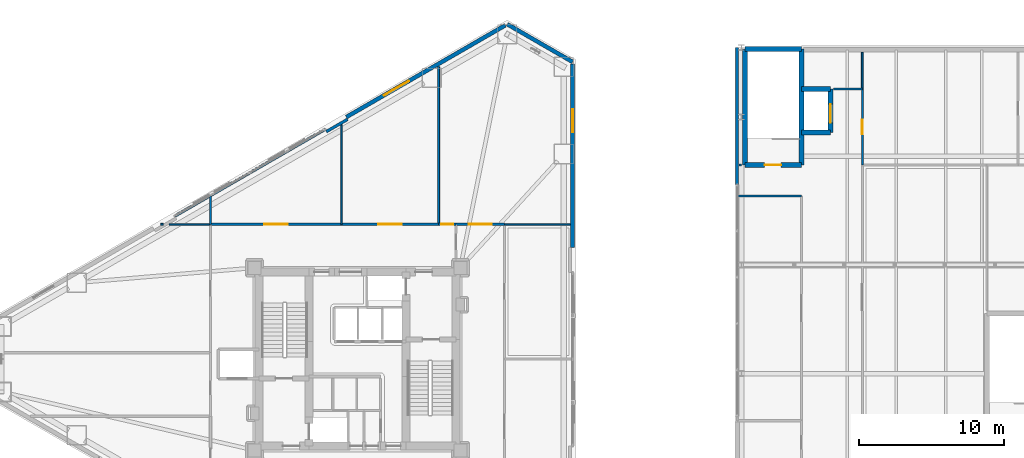
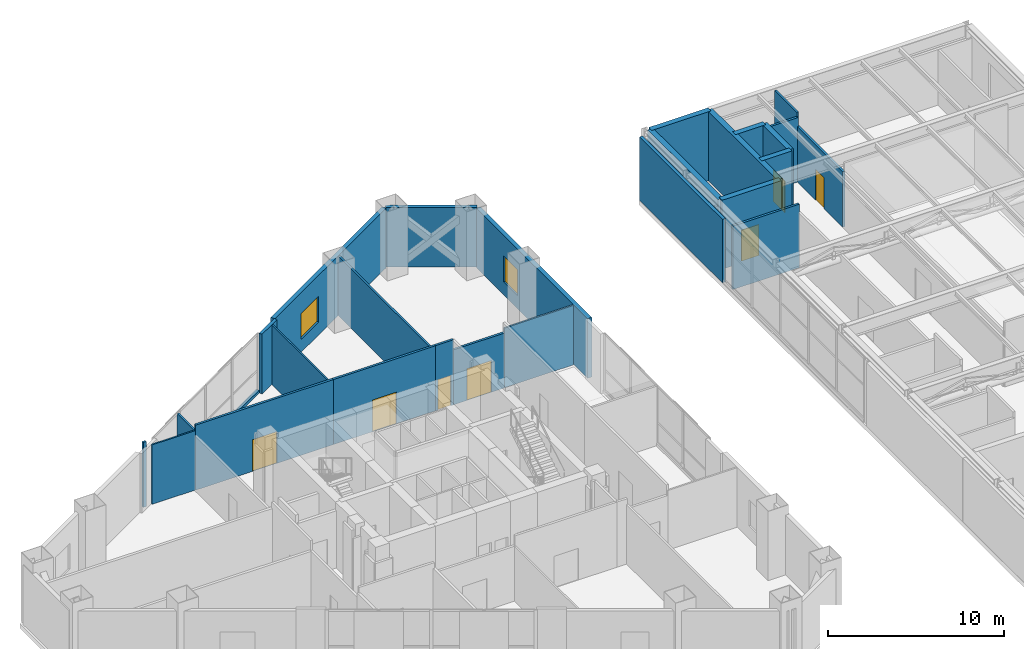
# One storey, part 24 of 27: 28 walls, 7 doors, 2 windows, 9 openings.
"""IFC4 building model written with IfcOpenShell, lengths in metres."""

from ifc_helpers import new_model, si_unit, direction, frame, frame_2d, origin, place, context, subcontext, project, spatial, rectangle, extrude, material, layer, layer_set, type_object, element, fill, save


model = new_model("IFC4")

# Units and contexts
model_context = context("Model", 3, precision=1e-05, world=origin(), true_north=direction((0.0, 1.0)))
body_context = subcontext(model_context, "Body", "Model", "MODEL_VIEW")
ifc_project = project(units=[si_unit("LENGTHUNIT", "METRE"), si_unit("AREAUNIT", "SQUARE_METRE"), si_unit("VOLUMEUNIT", "CUBIC_METRE"), si_unit("PLANEANGLEUNIT", "RADIAN"), si_unit("MASSUNIT", "GRAM", prefix="KILO")], contexts=[model_context])

# Site, building, storey
site_placement = place(None, origin())
site = spatial("IfcSite", under=ifc_project, at=site_placement, CompositionType="ELEMENT")
building_placement = place(site_placement, origin())
building = spatial("IfcBuilding", under=site, at=building_placement, Name="Mersakhor Tower and Convention Hall", CompositionType="ELEMENT")
storey_placement = place(building_placement, frame((0.0, 0.0, 14.39990234375)))
storey = spatial("IfcBuildingStorey", under=building, at=storey_placement, Name="L03", CompositionType="ELEMENT", Elevation=14.39990234375)

# Wall
ifc_material_1 = material(Name="Precast concrete C45/55", Category="concrete")
ifc_layer_1 = layer(ifc_material_1, 0.27490234375)
ifc_layer_set_1 = layer_set([ifc_layer_1], Name="Precast concrete C45/55")
wall_type_1 = type_object("IfcWallType", Name="WL-EXT-275", PredefinedType="SOLIDWALL", material=ifc_layer_set_1)
wall_1_placement = place(storey_placement, frame((39.3369140625, 49.865234375, 0.0), z_axis=(0.0, 0.0, 1.0), x_axis=(0.866043601342, -0.499968479581, 0.0)))
element("IfcWall", 1, at=wall_1_placement, inside=storey, type_object=wall_type_1, Name="L03 Chamfer Braced Spandrel Wall C1", PredefinedType="SOLIDWALL", context=body_context, shape_type="SweptSolid", body=[
    extrude(rectangle(XDim=5.211181640625, YDim=0.27490234375, at=frame_2d((2.60546875, 0.0))), origin(), (0.0, 0.0, 1.0), 4.14013671875),
])

# Wall, opening, window
wall_2_placement = place(storey_placement, frame((28.231689453125, 43.453857421875, 0.0), z_axis=(0.0, 0.0, 1.0), x_axis=(0.86603192154, 0.499988710747, 0.0)))
wall_2 = element("IfcWall", 2, at=wall_2_placement, inside=storey, type_object=wall_type_1, Name="L03 Exterior Facade Wall F1-B3", PredefinedType="SOLIDWALL", context=body_context, shape_type="SweptSolid", body=[
    extrude(rectangle(XDim=12.673095703125, YDim=0.27490234375, at=frame_2d((6.33642578125, 0.0))), origin(), (0.0, 0.0, 1.0), 4.14013671875),
])
opening_1_placement = place(wall_2_placement, frame((2.988037109375, 0.0, 0.89990234375)))
opening_1 = element("IfcOpeningElement", 3, at=opening_1_placement, cuts=wall_2, Name="Opening W-08", PredefinedType="OPENING", context=body_context, shape_type="SweptSolid", body=[
    extrude(rectangle(XDim=2.0, YDim=1.800048828125, at=frame_2d((1.0, 0.89990234375))), frame((0.0, 0.1474609375, 0.0), z_axis=(0.0, -1.0, 0.0), x_axis=(1.0, 0.0, 0.0)), (0.0, 0.0, 1.0), 0.294921875),
])
ifc_material_2 = material(Name="Dark solar low-E glazed aluminium window", Category="aluminium")
window_type_1 = type_object("IfcWindowType", Name="WN-CLN-200x180", PartitioningType="SINGLE_PANEL", PredefinedType="WINDOW", material=ifc_material_2)
window_1_placement = place(opening_1_placement, origin())
window_1 = element("IfcWindow", 4, at=window_1_placement, inside=storey, type_object=window_type_1, Name="L03 Facade Punched Window F1-B3", OverallHeight=1.800048828125, OverallWidth=2.0, PartitioningType="SINGLE_PANEL", PredefinedType="WINDOW", context=body_context, shape_type="SweptSolid", body=[
    extrude(rectangle(XDim=2.0, YDim=1.800048828125, at=frame_2d((1.0, 0.89990234375))), frame((0.0, 0.030029296875, 0.0), z_axis=(0.0, -1.0, 0.0), x_axis=(1.0, 0.0, 0.0)), (0.0, 0.0, 1.0), 0.06005859375),
])
fill(opening_1, window_1)

wall_3_placement = place(storey_placement, frame((43.85009765625, 47.109619140625, 0.0), z_axis=(0.0, 0.0, 1.0), x_axis=(0.0, -1.0, 0.0)))
wall_3 = element("IfcWall", 5, at=wall_3_placement, inside=storey, type_object=wall_type_1, Name="L03 Exterior Facade Wall F2-B1", PredefinedType="SOLIDWALL", context=body_context, shape_type="SweptSolid", body=[
    extrude(rectangle(XDim=12.673095703125, YDim=0.27490234375, at=frame_2d((6.33642578125, 0.0))), origin(), (0.0, 0.0, 1.0), 4.14013671875),
])
opening_2_placement = place(wall_3_placement, frame((3.10009765625, 0.0, 0.89990234375)))
opening_2 = element("IfcOpeningElement", 6, at=opening_2_placement, cuts=wall_3, Name="Opening W-07", PredefinedType="OPENING", context=body_context, shape_type="SweptSolid", body=[
    extrude(rectangle(XDim=1.60009765625, YDim=1.800048828125, at=frame_2d((0.800048828125, 0.89990234375))), frame((0.0, 0.1474609375, 0.0), z_axis=(0.0, -1.0, 0.0), x_axis=(1.0, 0.0, 0.0)), (0.0, 0.0, 1.0), 0.294921875),
])
ifc_material_3 = material(Name="Dark solar low-E glazed aluminium window", Category="aluminium")
window_type_2 = type_object("IfcWindowType", Name="WN-CLN-160x180", PartitioningType="SINGLE_PANEL", PredefinedType="WINDOW", material=ifc_material_3)
window_2_placement = place(opening_2_placement, origin())
window_2 = element("IfcWindow", 7, at=window_2_placement, inside=storey, type_object=window_type_2, Name="L03 Facade Punched Window F2-B1", OverallHeight=1.800048828125, OverallWidth=1.60009765625, PartitioningType="SINGLE_PANEL", PredefinedType="WINDOW", context=body_context, shape_type="SweptSolid", body=[
    extrude(rectangle(XDim=1.60009765625, YDim=1.800048828125, at=frame_2d((0.800048828125, 0.89990234375))), frame((0.0, 0.030029296875, 0.0), z_axis=(0.0, -1.0, 0.0), x_axis=(1.0, 0.0, 0.0)), (0.0, 0.0, 1.0), 0.06005859375),
])
fill(opening_2, window_2)

# Walls
ifc_material_4 = material(Name="Precast concrete C40/50", Category="concrete")
ifc_layer_2 = layer(ifc_material_4, 0.199951171875)
ifc_layer_set_2 = layer_set([ifc_layer_2], Name="Precast concrete C40/50")
wall_type_2 = type_object("IfcWallType", Name="WL-PAR-200", PredefinedType="PARAPET", material=ifc_layer_set_2)
wall_4_placement = place(storey_placement, frame((55.195068359375, 38.800048828125, 0.0), z_axis=(0.0, 0.0, 1.0), x_axis=(0.0, 1.0, 0.0)))
element("IfcWall", 8, at=wall_4_placement, inside=storey, type_object=wall_type_2, Name="Convention L03 Stair Core Facade Cladding WC2", PredefinedType="PARAPET", context=body_context, shape_type="SweptSolid", body=[
    extrude(rectangle(XDim=9.449951171875, YDim=0.199951171875, at=frame_2d((4.72509765625, 0.0))), origin(), (0.0, 0.0, 1.0), 4.41015625),
])
wall_5_placement = place(storey_placement, frame((16.390380859375, 36.6171875, 0.0), z_axis=(0.0, 0.0, 1.0), x_axis=(0.866027351828, 0.499996625875, 0.0)))
element("IfcWall", 9, at=wall_5_placement, inside=storey, type_object=wall_type_2, Name="L03 Curtain Wall Upstand Sill F1-B2", PredefinedType="PARAPET", context=body_context, shape_type="SweptSolid", body=[
    extrude(rectangle(XDim=11.97314453125, YDim=0.199951171875, at=frame_2d((5.986572265625, 0.0))), origin(), (0.0, 0.0, 1.0), 0.2001953125),
])
wall_6_placement = place(storey_placement, frame((26.849609375, 42.447998046875, 0.0), z_axis=(0.0, 0.0, 1.0), x_axis=(0.86605165483, 0.499954529098, 0.0)))
element("IfcWall", 10, at=wall_6_placement, inside=storey, type_object=wall_type_2, Name="L03 Column Pier Cladding Wall F1-C2", PredefinedType="PARAPET", context=body_context, shape_type="SweptSolid", body=[
    extrude(rectangle(XDim=1.699951171875, YDim=0.199951171875, at=frame_2d((0.85009765625, 0.0))), origin(), (0.0, 0.0, 1.0), 4.14013671875),
])
ifc_material_5 = material(Name="Lightweight gypsum partition", Category="other")
ifc_layer_3 = layer(ifc_material_5, 0.10009765625)
ifc_layer_set_3 = layer_set([ifc_layer_3], Name="Lightweight gypsum partition")
wall_type_3 = type_object("IfcWallType", Name="WL-PRT-100", PredefinedType="PARTITIONING", material=ifc_layer_set_3)
wall_7_placement = place(storey_placement, frame((27.89990234375, 42.9111328125, 0.0), z_axis=(0.0, 0.0, 1.0), x_axis=(0.0, -1.0, 0.0)))
element("IfcWall", 11, at=wall_7_placement, inside=storey, type_object=wall_type_3, Name="L03 Interior Partition Wall P-094", PredefinedType="PARTITIONING", context=body_context, shape_type="SweptSolid", body=[
    extrude(rectangle(XDim=6.861083984375, YDim=0.10009765625, at=frame_2d((3.4306640625, 0.0))), origin(), (0.0, 0.0, 1.0), 4.130615234375),
])
wall_8_placement = place(storey_placement, frame((43.6884765625, 36.050048828125, 0.0), z_axis=(0.0, 0.0, 1.0), x_axis=(-1.0, 0.0, 0.0)))
element("IfcWall", 12, at=wall_8_placement, inside=storey, type_object=wall_type_3, Name="L03 Interior Partition Wall P-096", PredefinedType="PARTITIONING", context=body_context, shape_type="SweptSolid", body=[
    extrude(rectangle(XDim=4.53857421875, YDim=0.10009765625, at=frame_2d((2.269287109375, 0.0))), origin(), (0.0, 0.0, 1.0), 4.130615234375),
])
wall_9_placement = place(storey_placement, frame((15.993408203125, 36.050048828125, 0.0), z_axis=(0.0, 0.0, 1.0), x_axis=(1.0, 0.0, 0.0)))
element("IfcWall", 13, at=wall_9_placement, inside=storey, type_object=wall_type_3, Name="L03 Interior Partition Wall P-102", PredefinedType="PARTITIONING", context=body_context, shape_type="SweptSolid", body=[
    extrude(rectangle(XDim=2.856689453125, YDim=0.10009765625, at=frame_2d((1.42822265625, 0.0))), origin(), (0.0, 0.0, 1.0), 4.130615234375),
])
ifc_material_6 = material(Name="Gypsum board acoustic partition", Category="other")
ifc_layer_4 = layer(ifc_material_6, 0.125)
ifc_layer_set_4 = layer_set([ifc_layer_4], Name="Gypsum board acoustic partition")
wall_type_4 = type_object("IfcWallType", Name="WL-PRT-125", PredefinedType="PARTITIONING", material=ifc_layer_set_4)
wall_10_placement = place(storey_placement, frame((63.85009765625, 45.39990234375, 0.0), z_axis=(0.0, 0.0, 1.0), x_axis=(0.0, 1.0, 0.0)))
element("IfcWall", 14, at=wall_10_placement, inside=storey, type_object=wall_type_4, Name="L03 Interior Partition Wall P-089", PredefinedType="PARTITIONING", context=body_context, shape_type="SweptSolid", body=[
    extrude(rectangle(XDim=2.526123046875, YDim=0.125, at=frame_2d((1.26318359375, 0.0))), origin(), (0.0, 0.0, 1.0), 4.800048828125),
])
wall_11_placement = place(storey_placement, frame((18.85009765625, 36.050048828125, 0.0), z_axis=(0.0, 0.0, 1.0), x_axis=(0.0, 1.0, 0.0)))
element("IfcWall", 15, at=wall_11_placement, inside=storey, type_object=wall_type_4, Name="L03 Interior Partition Wall P-093", PredefinedType="PARTITIONING", context=body_context, shape_type="SweptSolid", body=[
    extrude(rectangle(XDim=1.94091796875, YDim=0.125, at=frame_2d((0.970458984375, 0.0))), origin(), (0.0, 0.0, 1.0), 4.130615234375),
])
wall_12_placement = place(storey_placement, frame((34.60009765625, 46.944091796875, 0.0), z_axis=(0.0, 0.0, 1.0), x_axis=(0.0, -1.0, 0.0)))
element("IfcWall", 16, at=wall_12_placement, inside=storey, type_object=wall_type_4, Name="L03 Interior Partition Wall P-095", PredefinedType="PARTITIONING", context=body_context, shape_type="SweptSolid", body=[
    extrude(rectangle(XDim=10.89404296875, YDim=0.125, at=frame_2d((5.447021484375, 0.0))), origin(), (0.0, 0.0, 1.0), 4.130615234375),
])
wall_13_placement = place(storey_placement, frame((15.407958984375, 36.050048828125, 0.0), z_axis=(0.0, 0.0, 1.0), x_axis=(1.0, 0.0, 0.0)))
element("IfcWall", 17, at=wall_13_placement, inside=storey, type_object=wall_type_4, Name="L03 Interior Partition Wall P-101", PredefinedType="PARTITIONING", context=body_context, shape_type="SweptSolid", body=[
    extrude(rectangle(XDim=0.199951171875, YDim=0.125, at=frame_2d((0.10009765625, 0.0))), origin(), (0.0, 0.0, 1.0), 4.52001953125),
])
ifc_material_7 = material(Name="Fire-rated gypsum board stud partition", Category="other")
ifc_layer_5 = layer(ifc_material_7, 0.14990234375)
ifc_layer_set_5 = layer_set([ifc_layer_5], Name="Fire-rated gypsum board stud partition")
wall_type_5 = type_object("IfcWallType", Name="WL-PRT-150", PredefinedType="PARTITIONING", material=ifc_layer_set_5)
wall_14_placement = place(storey_placement, frame((59.64990234375, 38.0, 0.0), z_axis=(0.0, 0.0, 1.0), x_axis=(-1.0, 0.0, 0.0)))
element("IfcWall", 18, at=wall_14_placement, inside=storey, type_object=wall_type_5, Name="L03 Interior Partition Wall P-025", PredefinedType="PARTITIONING", context=body_context, shape_type="SweptSolid", body=[
    extrude(rectangle(XDim=4.37890625, YDim=0.14990234375, at=frame_2d((2.189453125, 0.0))), origin(), (0.0, 0.0, 1.0), 4.41015625),
])
wall_15_placement = place(storey_placement, frame((55.319091796875, 40.14990234375, 0.0), z_axis=(0.0, 0.0, 1.0), x_axis=(1.0, 0.0, 0.0)))
element("IfcWall", 19, at=wall_15_placement, inside=storey, type_object=wall_type_5, Name="L03 Interior Partition Wall P-026", PredefinedType="PARTITIONING", context=body_context, shape_type="SweptSolid", body=[
    extrude(rectangle(XDim=0.205810546875, YDim=0.14990234375, at=frame_2d((0.10302734375, 0.0))), origin(), (0.0, 0.0, 1.0), 4.41015625),
])
wall_16_placement = place(storey_placement, frame((61.875, 45.39990234375, 0.0), z_axis=(0.0, 0.0, 1.0), x_axis=(1.0, 0.0, 0.0)))
element("IfcWall", 20, at=wall_16_placement, inside=storey, type_object=wall_type_5, Name="L03 Interior Partition Wall P-027", PredefinedType="PARTITIONING", context=body_context, shape_type="SweptSolid", body=[
    extrude(rectangle(XDim=1.97509765625, YDim=0.14990234375, at=frame_2d((0.987548828125, 0.0))), origin(), (0.0, 0.0, 1.0), 4.478515625),
])

# Wall, opening, door
wall_17_placement = place(storey_placement, frame((63.85009765625, 45.39990234375, 0.0), z_axis=(0.0, 0.0, 1.0), x_axis=(0.0, -1.0, 0.0)))
wall_17 = element("IfcWall", 21, at=wall_17_placement, inside=storey, type_object=wall_type_5, Name="L03 Interior Partition Wall P-028", PredefinedType="PARTITIONING", context=body_context, shape_type="SweptSolid", body=[
    extrude(rectangle(XDim=5.25, YDim=0.14990234375, at=frame_2d((2.625, 0.0))), origin(), (0.0, 0.0, 1.0), 3.8583984375),
])
opening_3_placement = place(wall_17_placement, frame((2.125, 0.0, 0.0)))
opening_3 = element("IfcOpeningElement", 22, at=opening_3_placement, cuts=wall_17, Name="Opening FD-01", PredefinedType="OPENING", context=body_context, shape_type="SweptSolid", body=[
    extrude(rectangle(XDim=1.0, YDim=2.14990234375, at=frame_2d((0.5, 1.074951171875))), frame((0.0, 0.0849609375, 0.0), z_axis=(0.0, -1.0, 0.0), x_axis=(1.0, 0.0, 0.0)), (0.0, 0.0, 1.0), 0.169921875),
])
ifc_material_8 = material(Name="Fire-rated hardwood leaf and painted steel frame", Category="steel")
door_type_1 = type_object("IfcDoorType", Name="DR-INT-FLT-100x215", OperationType="NOTDEFINED", PredefinedType="DOOR", material=ifc_material_8)
door_1_placement = place(opening_3_placement, origin())
door_1 = element("IfcDoor", 23, at=door_1_placement, inside=storey, type_object=door_type_1, Name="L03 Convention Hall Concourse Corridor to Civic Press and Delegate Lounge Door", OperationType="SINGLE_SWING_RIGHT", OverallHeight=2.14990234375, OverallWidth=1.0, PredefinedType="DOOR", context=body_context, shape_type="SweptSolid", body=[
    extrude(rectangle(XDim=1.0, YDim=2.14990234375, at=frame_2d((0.5, 1.074951171875))), frame((0.0, 0.02490234375, 0.0), z_axis=(0.0, -1.0, 0.0), x_axis=(1.0, 0.0, 0.0)), (0.0, 0.0, 1.0), 0.050048828125),
])
fill(opening_3, door_1)

wall_18_placement = place(storey_placement, frame((18.85009765625, 36.050048828125, 0.0), z_axis=(0.0, 0.0, 1.0), x_axis=(1.0, 0.0, 0.0)))
wall_18 = element("IfcWall", 24, at=wall_18_placement, inside=storey, type_object=wall_type_5, Name="L03 Interior Partition Wall P-049", PredefinedType="PARTITIONING", context=body_context, shape_type="SweptSolid", body=[
    extrude(rectangle(XDim=9.0498046875, YDim=0.14990234375, at=frame_2d((4.52490234375, 0.0))), origin(), (0.0, 0.0, 1.0), 4.52001953125),
])
opening_4_placement = place(wall_18_placement, frame((3.72509765625, 0.0, 0.0)))
opening_4 = element("IfcOpeningElement", 25, at=opening_4_placement, cuts=wall_18, Name="Opening CD-01", PredefinedType="OPENING", context=body_context, shape_type="SweptSolid", body=[
    extrude(rectangle(XDim=1.60009765625, YDim=2.199951171875, at=frame_2d((0.800048828125, 1.10009765625))), frame((0.0, 0.0849609375, 0.0), z_axis=(0.0, -1.0, 0.0), x_axis=(1.0, 0.0, 0.0)), (0.0, 0.0, 1.0), 0.169921875),
])
ifc_material_9 = material(Name="Fire-rated hardwood leaf and painted steel frame", Category="steel")
door_type_2 = type_object("IfcDoorType", Name="DR-INT-COR-160x220", OperationType="NOTDEFINED", PredefinedType="DOOR", material=ifc_material_9)
door_2_placement = place(opening_4_placement, origin())
door_2 = element("IfcDoor", 26, at=door_2_placement, inside=storey, type_object=door_type_2, Name="L03 L03 Primary Healthcare Clinical Corridor to General Medical Consultation Room 1 Door", OperationType="DOUBLE_DOOR_SINGLE_SWING", OverallHeight=2.199951171875, OverallWidth=1.60009765625, PredefinedType="DOOR", context=body_context, shape_type="SweptSolid", body=[
    extrude(rectangle(XDim=1.60009765625, YDim=2.199951171875, at=frame_2d((0.800048828125, 1.10009765625))), frame((0.0, 0.02490234375, 0.0), z_axis=(0.0, -1.0, 0.0), x_axis=(1.0, 0.0, 0.0)), (0.0, 0.0, 1.0), 0.050048828125),
])
fill(opening_4, door_2)

wall_19_placement = place(storey_placement, frame((27.89990234375, 36.050048828125, 0.0), z_axis=(0.0, 0.0, 1.0), x_axis=(1.0, 0.0, 0.0)))
wall_19 = element("IfcWall", 27, at=wall_19_placement, inside=storey, type_object=wall_type_5, Name="L03 Interior Partition Wall P-050", PredefinedType="PARTITIONING", context=body_context, shape_type="SweptSolid", body=[
    extrude(rectangle(XDim=6.7001953125, YDim=0.14990234375, at=frame_2d((3.35009765625, 0.0))), origin(), (0.0, 0.0, 1.0), 4.52001953125),
])
opening_5_placement = place(wall_19_placement, frame((2.550048828125, 0.0, 0.0)))
opening_5 = element("IfcOpeningElement", 28, at=opening_5_placement, cuts=wall_19, Name="Opening CD-01", PredefinedType="OPENING", context=body_context, shape_type="SweptSolid", body=[
    extrude(rectangle(XDim=1.60009765625, YDim=2.199951171875, at=frame_2d((0.800048828125, 1.10009765625))), frame((0.0, 0.0849609375, 0.0), z_axis=(0.0, -1.0, 0.0), x_axis=(1.0, 0.0, 0.0)), (0.0, 0.0, 1.0), 0.169921875),
])
door_3_placement = place(opening_5_placement, origin())
door_3 = element("IfcDoor", 29, at=door_3_placement, inside=storey, type_object=door_type_2, Name="L03 L03 Primary Healthcare Clinical Corridor to Pediatric Consultation Room 2 Door", OperationType="DOUBLE_DOOR_SINGLE_SWING", OverallHeight=2.199951171875, OverallWidth=1.60009765625, PredefinedType="DOOR", context=body_context, shape_type="SweptSolid", body=[
    extrude(rectangle(XDim=1.60009765625, YDim=2.199951171875, at=frame_2d((0.800048828125, 1.10009765625))), frame((0.0, 0.02490234375, 0.0), z_axis=(0.0, -1.0, 0.0), x_axis=(1.0, 0.0, 0.0)), (0.0, 0.0, 1.0), 0.050048828125),
])
fill(opening_5, door_3)

wall_20_placement = place(storey_placement, frame((34.60009765625, 36.050048828125, 0.0), z_axis=(0.0, 0.0, 1.0), x_axis=(1.0, 0.0, 0.0)))
wall_20 = element("IfcWall", 30, at=wall_20_placement, inside=storey, type_object=wall_type_5, Name="L03 Interior Partition Wall P-051", PredefinedType="PARTITIONING", context=body_context, shape_type="SweptSolid", body=[
    extrude(rectangle(XDim=1.199951171875, YDim=0.14990234375, at=frame_2d((0.60009765625, 0.0))), origin(), (0.0, 0.0, 1.0), 4.52001953125),
])
opening_6_placement = place(wall_20_placement, frame((0.175048828125, 0.0, 0.0)))
opening_6 = element("IfcOpeningElement", 31, at=opening_6_placement, cuts=wall_20, Name="Opening SVD-01", PredefinedType="OPENING", context=body_context, shape_type="SweptSolid", body=[
    extrude(rectangle(XDim=0.85009765625, YDim=2.10009765625, at=frame_2d((0.425048828125, 1.050048828125))), frame((0.0, 0.0849609375, 0.0), z_axis=(0.0, -1.0, 0.0), x_axis=(1.0, 0.0, 0.0)), (0.0, 0.0, 1.0), 0.169921875),
])
ifc_material_10 = material(Name="Fire-rated hardwood leaf and painted steel frame", Category="steel")
door_type_3 = type_object("IfcDoorType", Name="DR-INT-SVC-085x210", OperationType="NOTDEFINED", PredefinedType="DOOR", material=ifc_material_10)
door_4_placement = place(opening_6_placement, origin())
door_4 = element("IfcDoor", 32, at=door_4_placement, inside=storey, type_object=door_type_3, Name="L03 L03 Primary Healthcare Clinical Corridor to Dental Treatment Room 1 Door", OperationType="SINGLE_SWING_RIGHT", OverallHeight=2.10009765625, OverallWidth=0.85009765625, PredefinedType="DOOR", context=body_context, shape_type="SweptSolid", body=[
    extrude(rectangle(XDim=0.85009765625, YDim=2.10009765625, at=frame_2d((0.425048828125, 1.050048828125))), frame((0.0, 0.02490234375, 0.0), z_axis=(0.0, -1.0, 0.0), x_axis=(1.0, 0.0, 0.0)), (0.0, 0.0, 1.0), 0.050048828125),
])
fill(opening_6, door_4)

wall_21_placement = place(storey_placement, frame((35.800048828125, 36.050048828125, 0.0), z_axis=(0.0, 0.0, 1.0), x_axis=(1.0, 0.0, 0.0)))
wall_21 = element("IfcWall", 33, at=wall_21_placement, inside=storey, type_object=wall_type_5, Name="L03 Interior Partition Wall P-069", PredefinedType="PARTITIONING", context=body_context, shape_type="SweptSolid", body=[
    extrude(rectangle(XDim=3.349853515625, YDim=0.14990234375, at=frame_2d((1.6748046875, 0.0))), origin(), (0.0, 0.0, 1.0), 3.817626953125),
])
opening_7_placement = place(wall_21_placement, frame((0.875, 0.0, 0.0)))
opening_7 = element("IfcOpeningElement", 34, at=opening_7_placement, cuts=wall_21, Name="Opening CD-01", PredefinedType="OPENING", context=body_context, shape_type="SweptSolid", body=[
    extrude(rectangle(XDim=1.60009765625, YDim=2.199951171875, at=frame_2d((0.800048828125, 1.10009765625))), frame((0.0, 0.0849609375, 0.0), z_axis=(0.0, -1.0, 0.0), x_axis=(1.0, 0.0, 0.0)), (0.0, 0.0, 1.0), 0.169921875),
])
door_5_placement = place(opening_7_placement, origin())
door_5 = element("IfcDoor", 35, at=door_5_placement, inside=storey, type_object=door_type_2, Name="L03 L03 Primary Healthcare Clinical East Corridor to Dental Treatment Room 1 Door", OperationType="DOUBLE_DOOR_SINGLE_SWING", OverallHeight=2.199951171875, OverallWidth=1.60009765625, PredefinedType="DOOR", context=body_context, shape_type="SweptSolid", body=[
    extrude(rectangle(XDim=1.60009765625, YDim=2.199951171875, at=frame_2d((0.800048828125, 1.10009765625))), frame((0.0, 0.02490234375, 0.0), z_axis=(0.0, -1.0, 0.0), x_axis=(1.0, 0.0, 0.0)), (0.0, 0.0, 1.0), 0.050048828125),
])
fill(opening_7, door_5)

ifc_material_11 = material(Name="Concrete C50/60", Category="concrete")
ifc_layer_6 = layer(ifc_material_11, 0.35009765625)
ifc_layer_set_6 = layer_set([ifc_layer_6], Name="Concrete C50/60")
wall_type_6 = type_object("IfcWallType", Name="WL-SHR-350", PredefinedType="SHEAR", material=ifc_layer_set_6)
wall_22_placement = place(storey_placement, frame((61.64990234375, 42.39990234375, 0.0), z_axis=(0.0, 0.0, 1.0), x_axis=(0.0, 1.0, 0.0)))
wall_22 = element("IfcWall", 36, at=wall_22_placement, inside=storey, type_object=wall_type_6, Name="L03 CVL2 Shaft Front Wall", PredefinedType="SHEAR", context=body_context, shape_type="SweptSolid", body=[
    extrude(rectangle(XDim=3.0, YDim=0.35009765625, at=frame_2d((1.5, 0.0))), origin(), (0.0, 0.0, 1.0), 4.800048828125),
])
opening_8_placement = place(wall_22_placement, frame((0.64990234375, 0.0, 0.0)))
opening_8 = element("IfcOpeningElement", 37, at=opening_8_placement, cuts=wall_22, Name="Opening LD-CVL2", PredefinedType="OPENING", context=body_context, shape_type="SweptSolid", body=[
    extrude(rectangle(XDim=1.300048828125, YDim=2.199951171875, at=frame_2d((0.64990234375, 1.10009765625))), frame((0.0, 0.18505859375, 0.0), z_axis=(0.0, -1.0, 0.0), x_axis=(1.0, 0.0, 0.0)), (0.0, 0.0, 1.0), 0.3701171875),
])
ifc_material_12 = material(Name="Fire-rated brushed stainless steel sliding landing door", Category="steel")
door_type_4 = type_object("IfcDoorType", Name="DR-LIFT-SLD-130x220", OperationType="NOTDEFINED", PredefinedType="DOOR", material=ifc_material_12)
door_6_placement = place(opening_8_placement, origin())
door_6 = element("IfcDoor", 38, at=door_6_placement, inside=storey, type_object=door_type_4, Name="L03 Convention Lift Landing Door LD-CVL2", OperationType="SLIDING_TO_LEFT", OverallHeight=2.199951171875, OverallWidth=1.300048828125, PredefinedType="DOOR", context=body_context, shape_type="SweptSolid", body=[
    extrude(rectangle(XDim=1.300048828125, YDim=2.199951171875, at=frame_2d((0.64990234375, 1.10009765625))), frame((0.0, 0.02490234375, 0.0), z_axis=(0.0, -1.0, 0.0), x_axis=(1.0, 0.0, 0.0)), (0.0, 0.0, 1.0), 0.050048828125),
])
fill(opening_8, door_6)

# Walls
for number, where, z_axis, x_axis, name in (
    (39, (59.64990234375, 45.39990234375, 0.0), (0.0, 0.0, 1.0), (1.0, 0.0, 0.0), "L03 CVL2 Shaft North Wall"),
    (40, (59.64990234375, 42.39990234375, 0.0), (0.0, 0.0, 1.0), (1.0, 0.0, 0.0), "L03 CVL2 Shaft South Wall"),
):
    element("IfcWall", number, at=place(storey_placement, frame(where, z_axis=z_axis, x_axis=x_axis)), inside=storey, type_object=wall_type_6, Name=name, PredefinedType="SHEAR", context=body_context, shape_type="SweptSolid", body=[
        extrude(rectangle(XDim=2.0, YDim=0.35009765625, at=frame_2d((1.0, 0.0))), origin(), (0.0, 0.0, 1.0), 4.800048828125),
    ])
for number, where, z_axis, x_axis, name in (
    (41, (59.64990234375, 48.14990234375, 0.0), (0.0, 0.0, 1.0), (0.0, -1.0, 0.0), "L03 CHST2 East Shear Wall"),
    (42, (55.75, 40.14990234375, 0.0), (0.0, 0.0, 1.0), (0.0, 1.0, 0.0), "L03 CHST2 West Shear Wall"),
):
    element("IfcWall", number, at=place(storey_placement, frame(where, z_axis=z_axis, x_axis=x_axis)), inside=storey, type_object=wall_type_6, Name=name, PredefinedType="SHEAR", context=body_context, shape_type="SweptSolid", body=[
        extrude(rectangle(XDim=8.0, YDim=0.35009765625, at=frame_2d((4.0, 0.0))), origin(), (0.0, 0.0, 1.0), 4.800048828125),
    ])
wall_23_placement = place(storey_placement, frame((55.75, 48.14990234375, 0.0), z_axis=(0.0, 0.0, 1.0), x_axis=(1.0, 0.0, 0.0)))
element("IfcWall", 43, at=wall_23_placement, inside=storey, type_object=wall_type_6, Name="L03 CHST2 North Shear Wall", PredefinedType="SHEAR", context=body_context, shape_type="SweptSolid", body=[
    extrude(rectangle(XDim=3.89990234375, YDim=0.35009765625, at=frame_2d((1.949951171875, 0.0))), origin(), (0.0, 0.0, 1.0), 4.800048828125),
])

# Wall, opening, door
wall_24_placement = place(storey_placement, frame((55.75, 40.14990234375, 0.0), z_axis=(0.0, 0.0, 1.0), x_axis=(1.0, 0.0, 0.0)))
wall_24 = element("IfcWall", 44, at=wall_24_placement, inside=storey, type_object=wall_type_6, Name="L03 CHST2 South Shear Wall", PredefinedType="SHEAR", context=body_context, shape_type="SweptSolid", body=[
    extrude(rectangle(XDim=3.89990234375, YDim=0.35009765625, at=frame_2d((1.949951171875, 0.0))), origin(), (0.0, 0.0, 1.0), 4.800048828125),
])
opening_9_placement = place(wall_24_placement, frame((1.35009765625, 0.0, 0.0)))
opening_9 = element("IfcOpeningElement", 45, at=opening_9_placement, cuts=wall_24, Name="Opening SD-01", PredefinedType="OPENING", context=body_context, shape_type="SweptSolid", body=[
    extrude(rectangle(XDim=1.14990234375, YDim=2.14990234375, at=frame_2d((0.574951171875, 1.074951171875))), frame((0.0, 0.18505859375, 0.0), z_axis=(0.0, -1.0, 0.0), x_axis=(1.0, 0.0, 0.0)), (0.0, 0.0, 1.0), 0.3701171875),
])
ifc_material_13 = material(Name="Fire-rated hardwood leaf and painted steel frame", Category="steel")
door_type_5 = type_object("IfcDoorType", Name="DR-INT-STAIR-115x215", OperationType="NOTDEFINED", PredefinedType="DOOR", material=ifc_material_13)
door_7_placement = place(opening_9_placement, origin())
door_7 = element("IfcDoor", 46, at=door_7_placement, inside=storey, type_object=door_type_5, Name="L03 Convention Stair CH-ST2 Door", OperationType="SINGLE_SWING_RIGHT", OverallHeight=2.14990234375, OverallWidth=1.14990234375, PredefinedType="DOOR", context=body_context, shape_type="SweptSolid", body=[
    extrude(rectangle(XDim=1.14990234375, YDim=2.14990234375, at=frame_2d((0.574951171875, 1.074951171875))), frame((0.0, 0.02490234375, 0.0), z_axis=(0.0, -1.0, 0.0), x_axis=(1.0, 0.0, 0.0)), (0.0, 0.0, 1.0), 0.050048828125),
])
fill(opening_9, door_7)

save(model, "model.ifc")
